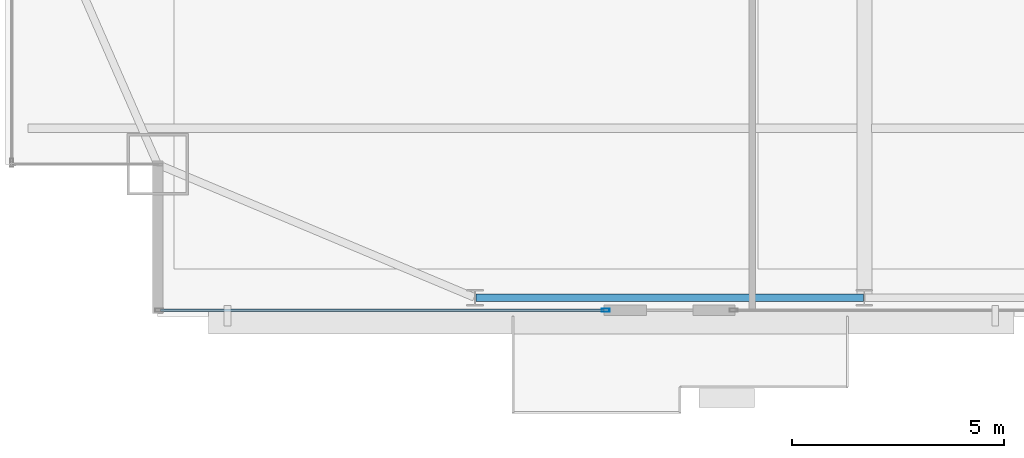
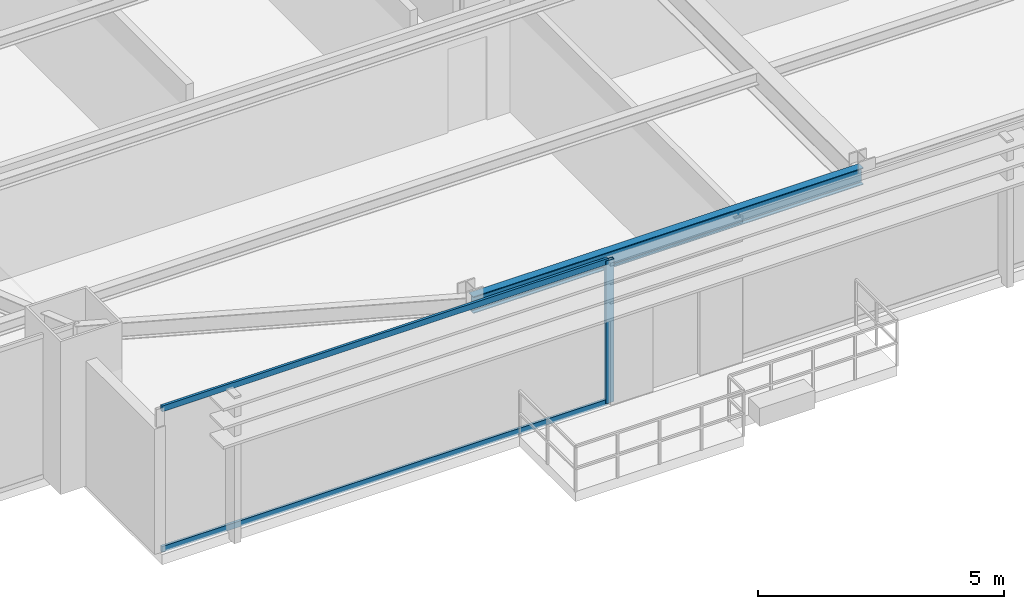
# One storey, part 4 of 32: 3 members, 1 beam, 1 element without a shape of its own.
"""IFC4 building model written with IfcOpenShell, lengths in metres."""

from ifc_helpers import new_model, si_unit, direction, frame, origin, origin_2d, place, context, subcontext, project, spatial, hollow_rectangle, i_section, extrude, source, transform, mapped, material, layer, layer_set, material_profile, profile_set, type_object, type_shapes, element, aggregate, save


model = new_model("IFC4")

# Units and contexts
model_context = context("Model", 3, precision=1e-05, world=origin(), true_north=direction((0.0, 1.0)))
body_context = subcontext(model_context, "Body", "Model", "MODEL_VIEW")
ifc_project = project(units=[si_unit("LENGTHUNIT", "METRE"), si_unit("AREAUNIT", "SQUARE_METRE"), si_unit("VOLUMEUNIT", "CUBIC_METRE"), si_unit("PLANEANGLEUNIT", "RADIAN"), si_unit("MASSUNIT", "GRAM", prefix="KILO")], contexts=[model_context])

# Site, building, storey
site_placement = place(None, origin())
site = spatial("IfcSite", under=ifc_project, at=site_placement, CompositionType="ELEMENT")
building_placement = place(site_placement, origin())
building = spatial("IfcBuilding", under=site, at=building_placement, Name="Varnel Quay Broadcast Tower", CompositionType="ELEMENT")
storey_placement = place(building_placement, frame((0.0, 0.0, 133.39990234375)))
storey = spatial("IfcBuildingStorey", under=building, at=storey_placement, Name="L32", CompositionType="ELEMENT", Elevation=133.39990234375)

# Beam
ifc_material_1 = material(Name="Structural Steel CSA G40.21 350W", Category="steel")
ifc_material_profile_1 = material_profile(ifc_material_1, i_section(OverallWidth=0.180908203125, OverallDepth=0.4169921875, WebThickness=0.010986328125, FlangeThickness=0.018310546875, FilletRadius=0.011962890625, at=origin_2d()), Name="W410X85")
ifc_profile_set_1 = profile_set([ifc_material_profile_1], Name="Structural Steel CSA G40.21 350W")
beam_type = type_object("IfcBeamType", Name="Beam_W410X85", PredefinedType="SPANDREL", material=ifc_profile_set_1)
shared_shape_1 = source(origin(), body_context, "Body", "SweptSolid", [
    extrude(i_section(OverallWidth=0.180908203125, OverallDepth=0.4169921875, WebThickness=0.010986328125, FlangeThickness=0.018310546875, FilletRadius=0.011962890625, at=origin_2d()), origin(), (0.0, 0.0, 1.0), 9.159912109375),
])
type_shapes(beam_type, [shared_shape_1])
beam_placement = place(storey_placement, frame((15.6201171875, 4.64990234375, 3.341552734375), z_axis=(1.0, 0.0, 0.0), x_axis=(0.0, 1.0, 0.0)))
element("IfcBeam", 1, at=beam_placement, inside=storey, type_object=beam_type, Name="L32 South Spandrel TC-S1-TC-S2", PredefinedType="SPANDREL", context=body_context, shape_type="MappedRepresentation", body=[
    mapped(shared_shape_1, transform((0.0, 0.0, 0.0), x_axis=(1.0, 0.0, 0.0), y_axis=(0.0, 1.0, 0.0), z_axis=(0.0, 0.0, 1.0), scale=1.0)),
])

# Curtain wall, members
ifc_material_2 = material(Name="Anodised Bronze Aluminium 6063-T6", Category="aluminium")
ifc_layer = layer(ifc_material_2, 0.18994140625, Name="Anodised Bronze Aluminium 6063-T6")
ifc_layer_set = layer_set([ifc_layer], Name="Anodised Bronze Aluminium 6063-T6")
curtain_wall_type = type_object("IfcCurtainWallType", Name="CW_LowerTower", PredefinedType="NOTDEFINED", material=ifc_layer_set)
curtain_wall_placement = place(storey_placement, origin())
curtain_wall = element("IfcCurtainWall", 2, at=curtain_wall_placement, inside=storey, type_object=curtain_wall_type, Name="L32 South Unitised Curtain Wall 1", PredefinedType="NOTDEFINED")
ifc_material_profile_2 = material_profile(ifc_material_2, hollow_rectangle(XDim=0.070068359375, YDim=0.18994140625, WallThickness=0.00390625, at=origin_2d()), Name="ALU70X190X4")
ifc_profile_set_2 = profile_set([ifc_material_profile_2], Name="Anodised Bronze Aluminium 6063-T6")
member_type_1 = type_object("IfcMemberType", Name="Mull_CWS-02", PredefinedType="MULLION", material=ifc_profile_set_2)
shared_shape_2 = source(origin(), body_context, "Body", "SweptSolid", [
    extrude(hollow_rectangle(XDim=0.070068359375, YDim=0.18994140625, WallThickness=0.00390625, at=origin_2d()), origin(), (0.0, 0.0, 1.0), 3.550048828125),
])
type_shapes(member_type_1, [shared_shape_2])
member_1_placement = place(storey_placement, frame((18.68505859375, 4.35009765625, 0.0), z_axis=(0.0, 0.0, 1.0), x_axis=(0.0, 1.0, 0.0)))
member_1 = element("IfcMember", 3, at=member_1_placement, type_object=member_type_1, Name="CWS-02 mullion 2", PredefinedType="MULLION", context=body_context, shape_type="MappedRepresentation", body=[
    mapped(shared_shape_2, transform((0.0, 0.0, 0.0), x_axis=(1.0, 0.0, 0.0), y_axis=(0.0, 1.0, 0.0), z_axis=(0.0, 0.0, 1.0), scale=1.0)),
])
ifc_material_profile_3 = material_profile(ifc_material_2, hollow_rectangle(XDim=0.06005859375, YDim=0.14501953125, WallThickness=0.00341796875, at=origin_2d()), Name="ALU60X145X3.5")
ifc_profile_set_3 = profile_set([ifc_material_profile_3], Name="Anodised Bronze Aluminium 6063-T6")
member_type_2 = type_object("IfcMemberType", Name="Tran_CWS-02", PredefinedType="USERDEFINED", material=ifc_profile_set_3)
shared_shape_3 = source(origin(), body_context, "Body", "SweptSolid", [
    extrude(hollow_rectangle(XDim=0.06005859375, YDim=0.14501953125, WallThickness=0.00341796875, at=origin_2d()), origin(), (0.0, 0.0, 1.0), 10.47998046875),
])
type_shapes(member_type_2, [shared_shape_3])
member_2_placement = place(storey_placement, frame((8.169921875, 4.35009765625, 0.030029296875), z_axis=(1.0, 0.0, 0.0), x_axis=(0.0, 1.0, 0.0)))
member_2 = element("IfcMember", 4, at=member_2_placement, type_object=member_type_2, Name="CWS-02 transom 1.1", ObjectType="TRANSOM", PredefinedType="USERDEFINED", context=body_context, shape_type="MappedRepresentation", body=[
    mapped(shared_shape_3, transform((0.0, 0.0, 0.0), x_axis=(1.0, 0.0, 0.0), y_axis=(0.0, 1.0, 0.0), z_axis=(0.0, 0.0, 1.0), scale=1.0)),
])
member_3_placement = place(storey_placement, frame((8.169921875, 4.35009765625, 3.52001953125), z_axis=(1.0, 0.0, 0.0), x_axis=(0.0, 1.0, 0.0)))
member_3 = element("IfcMember", 5, at=member_3_placement, type_object=member_type_2, Name="CWS-02 transom 1.2", ObjectType="TRANSOM", PredefinedType="USERDEFINED", context=body_context, shape_type="MappedRepresentation", body=[
    mapped(shared_shape_3, transform((0.0, 0.0, 0.0), x_axis=(1.0, 0.0, 0.0), y_axis=(0.0, 1.0, 0.0), z_axis=(0.0, 0.0, 1.0), scale=1.0)),
])
aggregate(curtain_wall, [member_1, member_2, member_3])

save(model, "model.ifc")
